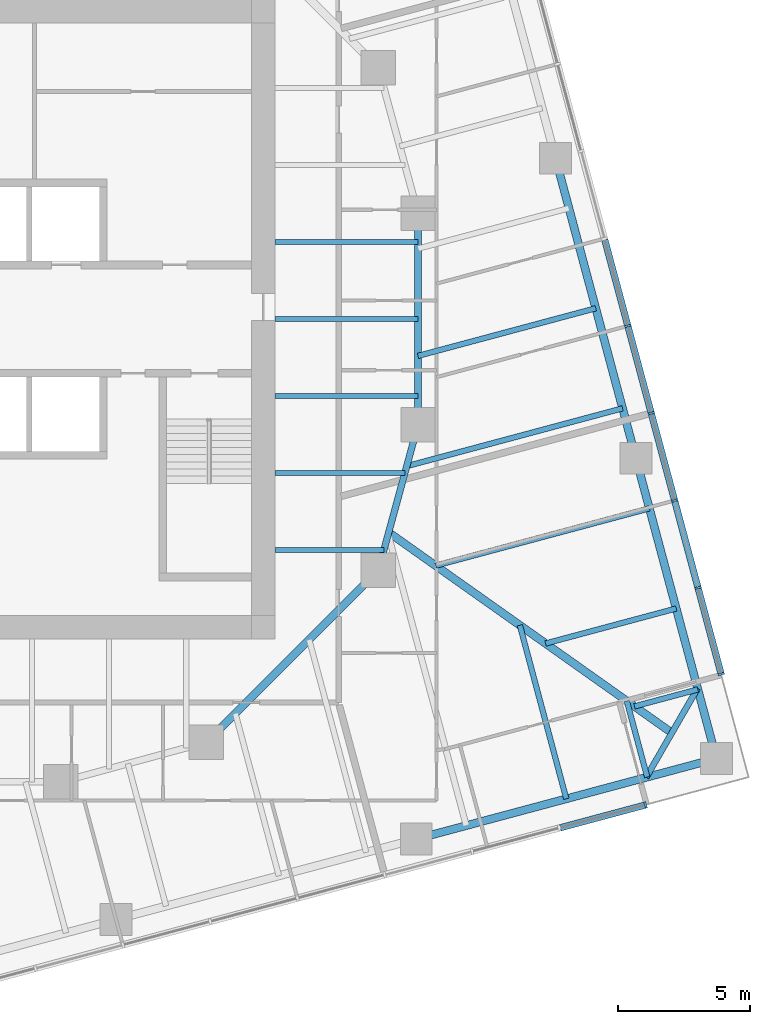
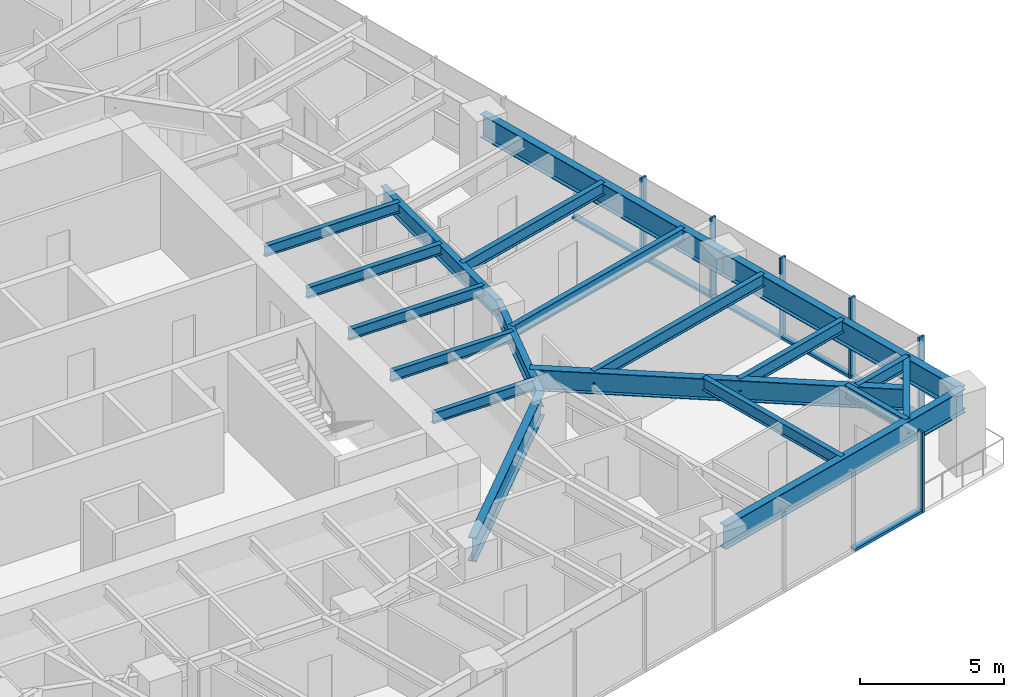
# One storey, part 4 of 15: 20 beams, 12 members, 2 elements without a shape of their own.
"""IFC4 building model written with IfcOpenShell, lengths in metres."""

from ifc_helpers import new_model, si_unit, direction, frame, origin, origin_2d, place, context, subcontext, project, spatial, rectangle, i_section, extrude, material, material_profile, profile_set, type_object, element, aggregate, save


model = new_model("IFC4")

# Units and contexts
model_context = context("Model", 3, precision=1e-05, world=origin(), true_north=direction((0.0, 1.0)))
body_context = subcontext(model_context, "Body", "Model", "MODEL_VIEW")
ifc_project = project(units=[si_unit("LENGTHUNIT", "METRE"), si_unit("AREAUNIT", "SQUARE_METRE"), si_unit("VOLUMEUNIT", "CUBIC_METRE"), si_unit("PLANEANGLEUNIT", "RADIAN"), si_unit("MASSUNIT", "GRAM", prefix="KILO")], contexts=[model_context])

# Site, building, storey
site_placement = place(None, origin())
site = spatial("IfcSite", under=ifc_project, at=site_placement, CompositionType="ELEMENT")
building_placement = place(site_placement, origin())
building = spatial("IfcBuilding", under=site, at=building_placement, Name="Torsade Residences", CompositionType="ELEMENT")
storey_placement = place(building_placement, frame((0.0, 0.0, 132.0)))
storey = spatial("IfcBuildingStorey", under=building, at=storey_placement, Name="L36", CompositionType="ELEMENT", Elevation=132.0)

# Beams
ifc_material_1 = material(Name="Steel grade 300", Category="steel")
ifc_material_profile_1 = material_profile(ifc_material_1, i_section(OverallWidth=0.300048828125, OverallDepth=0.89990234375, WebThickness=0.011962890625, FlangeThickness=0.02490234375, at=origin_2d()), Name="900WB175")
ifc_profile_set_1 = profile_set([ifc_material_profile_1], Name="Steel grade 300")
beam_type_1 = type_object("IfcBeamType", Name="CORNER GIRDER 900WB175", PredefinedType="BEAM", material=ifc_profile_set_1)
beam_1_placement = place(storey_placement, frame((67.097412109375, 14.355224609375, 2.800048828125), z_axis=(-0.816261084801, 0.577683167004, 0.0), x_axis=(-0.577683167004, -0.816261084801, 0.0)))
element("IfcBeam", 1, at=beam_1_placement, inside=storey, type_object=beam_type_1, Name="Corner girder 05 L37", PredefinedType="BEAM", context=body_context, shape_type="SweptSolid", body=[
    extrude(i_section(OverallWidth=0.300048828125, OverallDepth=0.89990234375, WebThickness=0.011962890625, FlangeThickness=0.02490234375, at=origin_2d()), origin(), (0.0, 0.0, 1.0), 13.116943359375),
])
ifc_material_2 = material(Name="Steel grade 300", Category="steel")
ifc_material_profile_2 = material_profile(ifc_material_2, i_section(OverallWidth=0.22802734375, OverallDepth=0.60205078125, WebThickness=0.010498046875, FlangeThickness=0.014892578125, FilletRadius=0.013916015625, at=origin_2d()), Name="610UB101")
ifc_profile_set_2 = profile_set([ifc_material_profile_2], Name="Steel grade 300")
beam_type_2 = type_object("IfcBeamType", Name="CORNER TRIMMER 610UB101", PredefinedType="BEAM", material=ifc_profile_set_2)
beam_2_placement = place(storey_placement, frame((68.06982421875, 16.039306640625, 2.948974609375), z_axis=(-0.499994147244, -0.866028782848, 0.0), x_axis=(0.866028782848, -0.499994147244, 0.0)))
element("IfcBeam", 2, at=beam_2_placement, inside=storey, type_object=beam_type_2, Name="Corner trimmer 05 L37", PredefinedType="BEAM", context=body_context, shape_type="SweptSolid", body=[
    extrude(i_section(OverallWidth=0.22802734375, OverallDepth=0.60205078125, WebThickness=0.010498046875, FlangeThickness=0.014892578125, FilletRadius=0.013916015625, at=origin_2d()), origin(), (0.0, 0.0, 1.0), 3.88916015625),
])
ifc_material_3 = material(Name="Steel grade 300", Category="steel")
ifc_material_profile_3 = material_profile(ifc_material_3, i_section(OverallWidth=0.300048828125, OverallDepth=1.0, WebThickness=0.01611328125, FlangeThickness=0.028076171875, at=origin_2d()), Name="1000WB215")
ifc_profile_set_3 = profile_set([ifc_material_profile_3], Name="Steel grade 300")
beam_type_3 = type_object("IfcBeamType", Name="EDGE BEAM 1000WB215", PredefinedType="SPANDREL", material=ifc_profile_set_3)
for number, where, z_axis, x_axis, name in (
    (3, (57.431884765625, 10.341796875, 2.75), (0.965922824118, 0.258830249097, 0.0), (-0.258830249097, 0.965922824118, 0.0), "Edge beam 04 L37"),
    (4, (68.781494140625, 13.383056640625, 2.75), (-0.258810863021, 0.965928018634, 0.0), (-0.965928018634, -0.258810863021, 0.0), "Edge beam 05 L37"),
    (5, (65.740478515625, 24.732666015625, 2.75), (-0.258830249097, 0.965922824118, 0.0), (-0.965922824118, -0.258830249097, 0.0), "Edge beam 06 L37"),
):
    element("IfcBeam", number, at=place(storey_placement, frame(where, z_axis=z_axis, x_axis=x_axis)), inside=storey, type_object=beam_type_3, Name=name, PredefinedType="SPANDREL", context=body_context, shape_type="SweptSolid", body=[
        extrude(i_section(OverallWidth=0.300048828125, OverallDepth=1.0, WebThickness=0.01611328125, FlangeThickness=0.028076171875, at=origin_2d()), origin(), (0.0, 0.0, 1.0), 11.75),
    ])
ifc_material_4 = material(Name="Steel grade 300", Category="steel")
ifc_material_profile_4 = material_profile(ifc_material_4, i_section(OverallWidth=0.18994140625, OverallDepth=0.4541015625, WebThickness=0.008544921875, FlangeThickness=0.0126953125, FilletRadius=0.011474609375, at=origin_2d()), Name="460UB67.1")
ifc_profile_set_4 = profile_set([ifc_material_profile_4], Name="Steel grade 300")
beam_type_4 = type_object("IfcBeamType", Name="INNER FLOOR BEAM 460UB67.1", PredefinedType="JOIST", material=ifc_profile_set_4)
beam_3_placement = place(storey_placement, frame((52.10009765625, 21.262451171875, 3.02294921875), z_axis=(1.0, 0.0, 0.0), x_axis=(0.0, 1.0, 0.0)))
element("IfcBeam", 6, at=beam_3_placement, inside=storey, type_object=beam_type_4, Name="Inner floor beam IE01 L37", PredefinedType="JOIST", context=body_context, shape_type="SweptSolid", body=[
    extrude(i_section(OverallWidth=0.18994140625, OverallDepth=0.4541015625, WebThickness=0.008544921875, FlangeThickness=0.0126953125, FilletRadius=0.011474609375, at=origin_2d()), origin(), (0.0, 0.0, 1.0), 4.10791015625),
])
beam_4_placement = place(storey_placement, frame((52.10009765625, 24.175048828125, 3.02294921875), z_axis=(1.0, 0.0, 0.0), x_axis=(0.0, 1.0, 0.0)))
element("IfcBeam", 7, at=beam_4_placement, inside=storey, type_object=beam_type_4, Name="Inner floor beam IE02 L37", PredefinedType="JOIST", context=body_context, shape_type="SweptSolid", body=[
    extrude(i_section(OverallWidth=0.18994140625, OverallDepth=0.4541015625, WebThickness=0.008544921875, FlangeThickness=0.0126953125, FilletRadius=0.011474609375, at=origin_2d()), origin(), (0.0, 0.0, 1.0), 4.902099609375),
])
for number, where, z_axis, x_axis, name in (
    (8, (52.10009765625, 27.08740234375, 3.02294921875), (1.0, 0.0, 0.0), (0.0, 1.0, 0.0), "Inner floor beam IE03 L37"),
    (9, (52.10009765625, 30.0, 3.02294921875), (1.0, 0.0, 0.0), (0.0, 1.0, 0.0), "Inner floor beam IE04 L37"),
    (10, (52.10009765625, 32.91259765625, 3.02294921875), (1.0, 0.0, 0.0), (0.0, 1.0, 0.0), "Inner floor beam IE05 L37"),
):
    element("IfcBeam", number, at=place(storey_placement, frame(where, z_axis=z_axis, x_axis=x_axis)), inside=storey, type_object=beam_type_4, Name=name, PredefinedType="JOIST", context=body_context, shape_type="SweptSolid", body=[
        extrude(i_section(OverallWidth=0.18994140625, OverallDepth=0.4541015625, WebThickness=0.008544921875, FlangeThickness=0.0126953125, FilletRadius=0.011474609375, at=origin_2d()), origin(), (0.0, 0.0, 1.0), 5.39990234375),
    ])

# Curtain wall, member
ifc_material_5 = material(Name="Aluminium and glass", Category="aluminium")
curtain_wall_type = type_object("IfcCurtainWallType", Name="FRITTED GLASS CURTAIN WALL MID ZONE", PredefinedType="NOTDEFINED", material=ifc_material_5)
curtain_wall_1_placement = place(storey_placement, origin())
curtain_wall_1 = element("IfcCurtainWall", 11, at=curtain_wall_1_placement, inside=storey, type_object=curtain_wall_type, Name="Curtain wall L36 face 1", PredefinedType="NOTDEFINED")
ifc_material_6 = material(Name="Aluminium mullion", Category="aluminium")
ifc_material_profile_5 = material_profile(ifc_material_6, rectangle(XDim=0.25, YDim=0.080078125, at=origin_2d()), Name="MID ZONE CURTAIN WALL MULLION 250x80")
ifc_profile_set_5 = profile_set([ifc_material_profile_5], Name="Aluminium mullion")
member_type_1 = type_object("IfcMemberType", Name="MID ZONE CURTAIN WALL MULLION 250x80", PredefinedType="MULLION", material=ifc_profile_set_5)
member_1_placement = place(storey_placement, frame((66.10400390625, 11.63037109375, 0.0), z_axis=(0.0, 0.0, 1.0), x_axis=(-0.258819047783, 0.965925825571, 0.0)))
member_1 = element("IfcMember", 12, at=member_1_placement, type_object=member_type_1, Name="Mullion 13", PredefinedType="MULLION", context=body_context, shape_type="SweptSolid", body=[
    extrude(rectangle(XDim=0.25, YDim=0.080078125, at=origin_2d()), origin(), (0.0, 0.0, 1.0), 3.39990234375),
])

# Curtain wall, members
curtain_wall_2_placement = place(storey_placement, origin())
curtain_wall_2 = element("IfcCurtainWall", 13, at=curtain_wall_2_placement, inside=storey, type_object=curtain_wall_type, Name="Curtain wall L36 face 4", PredefinedType="NOTDEFINED")
member_2_placement = place(storey_placement, frame((68.960693359375, 16.578125, 0.0), z_axis=(0.0, 0.0, 1.0), x_axis=(-0.965925825571, -0.258819047783, 0.0)))
member_2 = element("IfcMember", 14, at=member_2_placement, type_object=member_type_1, Name="Mullion 1", PredefinedType="MULLION", context=body_context, shape_type="SweptSolid", body=[
    extrude(rectangle(XDim=0.25, YDim=0.080078125, at=origin_2d()), origin(), (0.0, 0.0, 1.0), 3.39990234375),
])
member_3_placement = place(storey_placement, frame((68.086669921875, 19.83984375, 0.0), z_axis=(0.0, 0.0, 1.0), x_axis=(-0.965925825571, -0.258819047783, 0.0)))
member_3 = element("IfcMember", 15, at=member_3_placement, type_object=member_type_1, Name="Mullion 2", PredefinedType="MULLION", context=body_context, shape_type="SweptSolid", body=[
    extrude(rectangle(XDim=0.25, YDim=0.080078125, at=origin_2d()), origin(), (0.0, 0.0, 1.0), 3.39990234375),
])
member_4_placement = place(storey_placement, frame((67.202392578125, 23.14013671875, 0.0), z_axis=(0.0, 0.0, 1.0), x_axis=(-0.965925825571, -0.258819047783, 0.0)))
member_4 = element("IfcMember", 16, at=member_4_placement, type_object=member_type_1, Name="Mullion 3", PredefinedType="MULLION", context=body_context, shape_type="SweptSolid", body=[
    extrude(rectangle(XDim=0.25, YDim=0.080078125, at=origin_2d()), origin(), (0.0, 0.0, 1.0), 3.39990234375),
])
member_5_placement = place(storey_placement, frame((66.318115234375, 26.4404296875, 0.0), z_axis=(0.0, 0.0, 1.0), x_axis=(-0.965925825571, -0.258819047783, 0.0)))
member_5 = element("IfcMember", 17, at=member_5_placement, type_object=member_type_1, Name="Mullion 4", PredefinedType="MULLION", context=body_context, shape_type="SweptSolid", body=[
    extrude(rectangle(XDim=0.25, YDim=0.080078125, at=origin_2d()), origin(), (0.0, 0.0, 1.0), 3.39990234375),
])
member_6_placement = place(storey_placement, frame((65.433837890625, 29.740478515625, 0.0), z_axis=(0.0, 0.0, 1.0), x_axis=(-0.965925825571, -0.258819047783, 0.0)))
member_6 = element("IfcMember", 18, at=member_6_placement, type_object=member_type_1, Name="Mullion 5", PredefinedType="MULLION", context=body_context, shape_type="SweptSolid", body=[
    extrude(rectangle(XDim=0.25, YDim=0.080078125, at=origin_2d()), origin(), (0.0, 0.0, 1.0), 3.39990234375),
])

# Member
ifc_material_7 = material(Name="Aluminium transom", Category="aluminium")
ifc_material_profile_6 = material_profile(ifc_material_7, rectangle(XDim=0.25, YDim=0.110107421875, at=origin_2d()), Name="MID ZONE CURTAIN WALL TRANSOM 250x110")
ifc_profile_set_6 = profile_set([ifc_material_profile_6], Name="Aluminium transom")
member_type_2 = type_object("IfcMemberType", Name="MID ZONE CURTAIN WALL TRANSOM 250x110", PredefinedType="USERDEFINED", material=ifc_profile_set_6)
member_7_placement = place(storey_placement, frame((62.880859375, 10.7666015625, 0.054931640625), z_axis=(0.965923258633, 0.258828627534, 0.0), x_axis=(-0.258828627534, 0.965923258633, 0.0)))
member_7 = element("IfcMember", 19, at=member_7_placement, type_object=member_type_2, Name="Transom 12.1", ObjectType="TRANSOM", PredefinedType="USERDEFINED", context=body_context, shape_type="SweptSolid", body=[
    extrude(rectangle(XDim=0.25, YDim=0.110107421875, at=origin_2d()), origin(), (0.0, 0.0, 1.0), 3.296630859375),
])

aggregate(curtain_wall_1, [member_1, member_7])

member_8_placement = place(storey_placement, frame((68.9501953125, 16.616943359375, 0.054931640625), z_axis=(-0.258828627534, 0.965923258633, 0.0), x_axis=(-0.965923258633, -0.258828627534, 0.0)))
member_8 = element("IfcMember", 20, at=member_8_placement, type_object=member_type_2, Name="Transom 1.1", ObjectType="TRANSOM", PredefinedType="USERDEFINED", context=body_context, shape_type="SweptSolid", body=[
    extrude(rectangle(XDim=0.25, YDim=0.110107421875, at=origin_2d()), origin(), (0.0, 0.0, 1.0), 3.296630859375),
])

member_9_placement = place(storey_placement, frame((68.076416015625, 19.87841796875, 0.054931640625), z_axis=(-0.258855549498, 0.965916044226, 0.0), x_axis=(-0.965916044226, -0.258855549498, 0.0)))
member_9 = element("IfcMember", 21, at=member_9_placement, type_object=member_type_2, Name="Transom 2.1", ObjectType="TRANSOM", PredefinedType="USERDEFINED", context=body_context, shape_type="SweptSolid", body=[
    extrude(rectangle(XDim=0.25, YDim=0.110107421875, at=origin_2d()), origin(), (0.0, 0.0, 1.0), 3.3369140625),
])

member_10_placement = place(storey_placement, frame((67.192138671875, 23.1787109375, 0.054931640625), z_axis=(-0.258873844232, 0.96591114124, 0.0), x_axis=(-0.96591114124, -0.258873844232, 0.0)))
member_10 = element("IfcMember", 22, at=member_10_placement, type_object=member_type_2, Name="Transom 3.1", ObjectType="TRANSOM", PredefinedType="USERDEFINED", context=body_context, shape_type="SweptSolid", body=[
    extrude(rectangle(XDim=0.25, YDim=0.110107421875, at=origin_2d()), origin(), (0.0, 0.0, 1.0), 3.336669921875),
])

member_11_placement = place(storey_placement, frame((66.3076171875, 26.47900390625, 0.054931640625), z_axis=(-0.258805576255, 0.965929435155, 0.0), x_axis=(-0.965929435155, -0.258805576255, 0.0)))
member_11 = element("IfcMember", 23, at=member_11_placement, type_object=member_type_2, Name="Transom 4.1", ObjectType="TRANSOM", PredefinedType="USERDEFINED", context=body_context, shape_type="SweptSolid", body=[
    extrude(rectangle(XDim=0.25, YDim=0.110107421875, at=origin_2d()), origin(), (0.0, 0.0, 1.0), 3.336669921875),
])

member_12_placement = place(storey_placement, frame((65.42333984375, 29.779296875, 0.054931640625), z_axis=(-0.258805576255, 0.965929435155, 0.0), x_axis=(-0.965929435155, -0.258805576255, 0.0)))
member_12 = element("IfcMember", 24, at=member_12_placement, type_object=member_type_2, Name="Transom 5.1", ObjectType="TRANSOM", PredefinedType="USERDEFINED", context=body_context, shape_type="SweptSolid", body=[
    extrude(rectangle(XDim=0.25, YDim=0.110107421875, at=origin_2d()), origin(), (0.0, 0.0, 1.0), 3.336669921875),
])

aggregate(curtain_wall_2, [member_2, member_3, member_4, member_5, member_6, member_8, member_9, member_10, member_11, member_12])

# Beams
ifc_material_8 = material(Name="Steel grade 300", Category="steel")
ifc_material_profile_7 = material_profile(ifc_material_8, i_section(OverallWidth=0.300048828125, OverallDepth=1.0, WebThickness=0.01611328125, FlangeThickness=0.028076171875, at=origin_2d()), Name="1000WB215")
ifc_profile_set_7 = profile_set([ifc_material_profile_7], Name="Steel grade 300")
beam_type_5 = type_object("IfcBeamType", Name="RING CORNER GIRDER 1000WB215", PredefinedType="BEAM", material=ifc_profile_set_7)
beam_5_placement = place(storey_placement, frame((49.5, 14.0, 2.75), z_axis=(0.707106781187, 0.707106781187, 0.0), x_axis=(-0.707106781187, 0.707106781187, 0.0)))
element("IfcBeam", 25, at=beam_5_placement, inside=storey, type_object=beam_type_5, Name="Ring girder IR15 L37", PredefinedType="BEAM", context=body_context, shape_type="SweptSolid", body=[
    extrude(i_section(OverallWidth=0.300048828125, OverallDepth=1.0, WebThickness=0.01611328125, FlangeThickness=0.028076171875, at=origin_2d()), origin(), (0.0, 0.0, 1.0), 9.1923828125),
])
ifc_material_9 = material(Name="Steel grade 300", Category="steel")
ifc_material_profile_8 = material_profile(ifc_material_9, i_section(OverallWidth=0.25, OverallDepth=0.699951171875, WebThickness=0.010009765625, FlangeThickness=0.02001953125, at=origin_2d()), Name="700WB130")
ifc_profile_set_8 = profile_set([ifc_material_profile_8], Name="Steel grade 300")
beam_type_6 = type_object("IfcBeamType", Name="RING GIRDER 700WB130", PredefinedType="BEAM", material=ifc_profile_set_8)
beam_6_placement = place(storey_placement, frame((57.5, 26.0, 2.89990234375), z_axis=(0.0, 1.0, 0.0), x_axis=(-1.0, 0.0, 0.0)))
element("IfcBeam", 26, at=beam_6_placement, inside=storey, type_object=beam_type_6, Name="Ring girder IR01 L37", PredefinedType="BEAM", context=body_context, shape_type="SweptSolid", body=[
    extrude(i_section(OverallWidth=0.25, OverallDepth=0.699951171875, WebThickness=0.010009765625, FlangeThickness=0.02001953125, at=origin_2d()), origin(), (0.0, 0.0, 1.0), 8.0),
])
beam_7_placement = place(storey_placement, frame((56.0, 20.5, 2.89990234375), z_axis=(0.263117405792, 0.964763821238, 0.0), x_axis=(-0.964763821238, 0.263117405792, 0.0)))
element("IfcBeam", 27, at=beam_7_placement, inside=storey, type_object=beam_type_6, Name="Ring girder IR16 L37", PredefinedType="BEAM", context=body_context, shape_type="SweptSolid", body=[
    extrude(i_section(OverallWidth=0.25, OverallDepth=0.699951171875, WebThickness=0.010009765625, FlangeThickness=0.02001953125, at=origin_2d()), origin(), (0.0, 0.0, 1.0), 5.700927734375),
])
ifc_material_10 = material(Name="Steel grade 300", Category="steel")
ifc_material_profile_9 = material_profile(ifc_material_10, i_section(OverallWidth=0.208984375, OverallDepth=0.528076171875, WebThickness=0.009521484375, FlangeThickness=0.01318359375, FilletRadius=0.013916015625, at=origin_2d()), Name="530UB82.0")
ifc_profile_set_9 = profile_set([ifc_material_profile_9], Name="Steel grade 300")
beam_type_7 = type_object("IfcBeamType", Name="SECONDARY BEAM 530UB82.0", PredefinedType="JOIST", material=ifc_profile_set_9)
beam_8_placement = place(storey_placement, frame((63.106689453125, 11.862548828125, 2.986083984375), z_axis=(-0.258814533235, 0.965927035229, 0.0), x_axis=(-0.965927035229, -0.258814533235, 0.0)))
element("IfcBeam", 28, at=beam_8_placement, inside=storey, type_object=beam_type_7, Name="Floor beam FS11 L37", PredefinedType="JOIST", context=body_context, shape_type="SweptSolid", body=[
    extrude(i_section(OverallWidth=0.208984375, OverallDepth=0.528076171875, WebThickness=0.009521484375, FlangeThickness=0.01318359375, FilletRadius=0.013916015625, at=origin_2d()), origin(), (0.0, 0.0, 1.0), 6.792724609375),
])
beam_9_placement = place(storey_placement, frame((66.16552734375, 12.68212890625, 2.986083984375), z_axis=(-0.258865750242, 0.965913310475, 0.0), x_axis=(-0.965913310475, -0.258865750242, 0.0)))
element("IfcBeam", 29, at=beam_9_placement, inside=storey, type_object=beam_type_7, Name="Floor beam FS12 L37", PredefinedType="JOIST", context=body_context, shape_type="SweptSolid", body=[
    extrude(i_section(OverallWidth=0.208984375, OverallDepth=0.528076171875, WebThickness=0.009521484375, FlangeThickness=0.01318359375, FilletRadius=0.013916015625, at=origin_2d()), origin(), (0.0, 0.0, 1.0), 2.980224609375),
])
beam_10_placement = place(storey_placement, frame((68.08056640625, 15.9990234375, 2.986083984375), z_axis=(-0.965920834438, -0.258837674225, 0.0), x_axis=(0.258837674225, -0.965920834438, 0.0)))
element("IfcBeam", 30, at=beam_10_placement, inside=storey, type_object=beam_type_7, Name="Floor beam FE01 L37", PredefinedType="JOIST", context=body_context, shape_type="SweptSolid", body=[
    extrude(i_section(OverallWidth=0.208984375, OverallDepth=0.528076171875, WebThickness=0.009521484375, FlangeThickness=0.01318359375, FilletRadius=0.013916015625, at=origin_2d()), origin(), (0.0, 0.0, 1.0), 2.482666015625),
])
beam_11_placement = place(storey_placement, frame((67.260986328125, 19.057861328125, 2.986083984375), z_axis=(-0.965926736728, -0.258815647274, 0.0), x_axis=(0.258815647274, -0.965926736728, 0.0)))
element("IfcBeam", 31, at=beam_11_placement, inside=storey, type_object=beam_type_7, Name="Floor beam FE02 L37", PredefinedType="JOIST", context=body_context, shape_type="SweptSolid", body=[
    extrude(i_section(OverallWidth=0.208984375, OverallDepth=0.528076171875, WebThickness=0.009521484375, FlangeThickness=0.01318359375, FilletRadius=0.013916015625, at=origin_2d()), origin(), (0.0, 0.0, 1.0), 5.11279296875),
])
beam_12_placement = place(storey_placement, frame((66.247314453125, 22.841064453125, 2.986083984375), z_axis=(-0.965924734258, -0.258823120582, 0.0), x_axis=(0.258823120582, -0.965924734258, 0.0)))
element("IfcBeam", 32, at=beam_12_placement, inside=storey, type_object=beam_type_7, Name="Floor beam FE03 L37", PredefinedType="JOIST", context=body_context, shape_type="SweptSolid", body=[
    extrude(i_section(OverallWidth=0.208984375, OverallDepth=0.528076171875, WebThickness=0.009521484375, FlangeThickness=0.01318359375, FilletRadius=0.013916015625, at=origin_2d()), origin(), (0.0, 0.0, 1.0), 8.365966796875),
])
beam_13_placement = place(storey_placement, frame((65.233642578125, 26.624267578125, 2.986083984375), z_axis=(-0.965928701223, -0.258808315464, 0.0), x_axis=(0.258808315464, -0.965928701223, 0.0)))
element("IfcBeam", 33, at=beam_13_placement, inside=storey, type_object=beam_type_7, Name="Floor beam FE04 L37", PredefinedType="JOIST", context=body_context, shape_type="SweptSolid", body=[
    extrude(i_section(OverallWidth=0.208984375, OverallDepth=0.528076171875, WebThickness=0.009521484375, FlangeThickness=0.01318359375, FilletRadius=0.013916015625, at=origin_2d()), origin(), (0.0, 0.0, 1.0), 8.447509765625),
])
beam_14_placement = place(storey_placement, frame((64.2197265625, 30.407470703125, 2.986083984375), z_axis=(-0.965926120836, -0.258817945835, 0.0), x_axis=(0.258817945835, -0.965926120836, 0.0)))
element("IfcBeam", 34, at=beam_14_placement, inside=storey, type_object=beam_type_7, Name="Floor beam FE05 L37", PredefinedType="JOIST", context=body_context, shape_type="SweptSolid", body=[
    extrude(i_section(OverallWidth=0.208984375, OverallDepth=0.528076171875, WebThickness=0.009521484375, FlangeThickness=0.01318359375, FilletRadius=0.013916015625, at=origin_2d()), origin(), (0.0, 0.0, 1.0), 6.956787109375),
])

save(model, "model.ifc")
